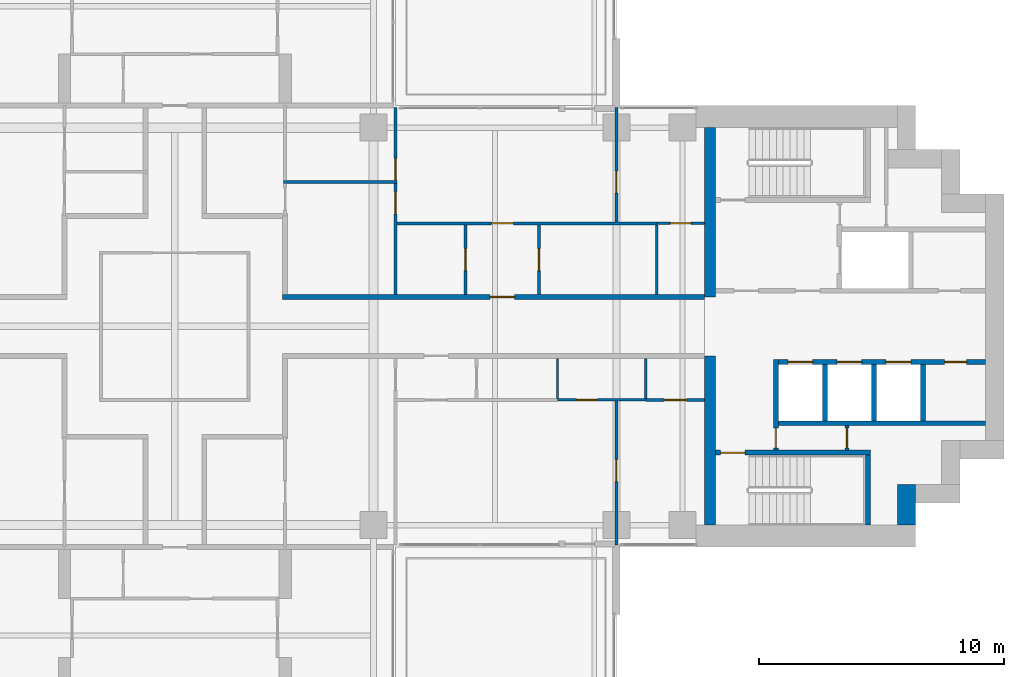
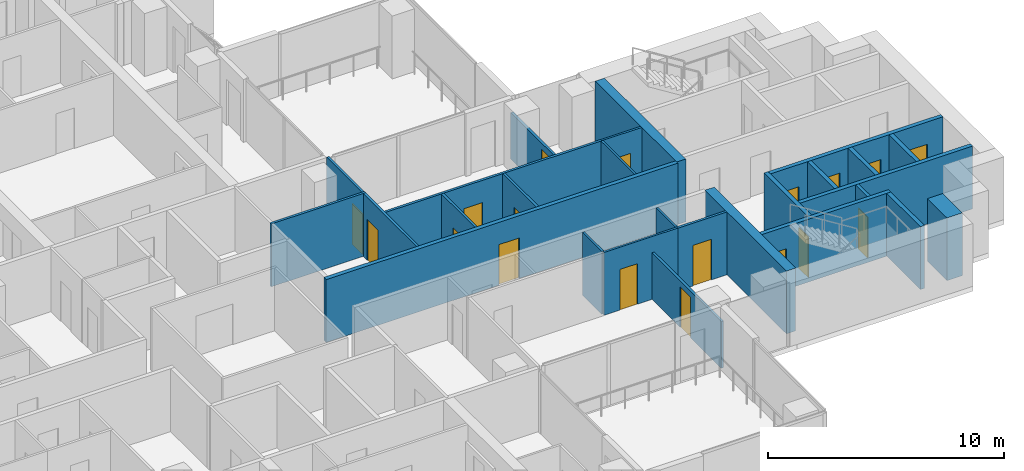
# One storey, part 12 of 18: 26 walls, 18 doors, 18 openings.
"""IFC4 building model written with IfcOpenShell, lengths in metres."""

import ifcopenshell
import ifcopenshell.guid

model = None  # the IFC model being written
_history = None  # IfcOwnerHistory: only IFC2X3 demands one
_inside = {}  # id of a spatial element -> (the spatial element, [elements in it])
_under = {}  # id of a project, library or spatial element -> (it, [spatial elements below it])
_declared = {}  # id of a project -> (the project, [libraries it declares])
_typed = {}  # id of a type object -> (the type object, [elements of that type])
_made_of = {}  # id of a material, layer set ... -> (it, [elements and type objects made of it])


def new_model(schema):
    """Start an empty IFC model of exactly this schema.

    Asked for "IFC4X3", IfcOpenShell would pick the latest addendum, in which some entities
    have other attributes; the version numbers below select the first issue.
    IFC2X3 requires an IfcOwnerHistory on every rooted entity: one is made here for all.
    """
    global model, _history
    if schema == "IFC4X3":
        model = ifcopenshell.file(schema_version=(4, 3, 0, 0))
    else:
        model = ifcopenshell.file(schema=schema)
    _inside.clear()
    _under.clear()
    _declared.clear()
    _typed.clear()
    _made_of.clear()
    _history = None
    if model.schema == "IFC2X3":
        org = make("IfcOrganization", Name="unknown")
        user = make(
            "IfcPersonAndOrganization",
            ThePerson=make("IfcPerson", FamilyName="unknown"),
            TheOrganization=org,
        )
        app = make(
            "IfcApplication",
            ApplicationDeveloper=org,
            Version="unknown",
            ApplicationFullName="unknown",
            ApplicationIdentifier="unknown",
        )
        _history = make(
            "IfcOwnerHistory",
            OwningUser=user,
            OwningApplication=app,
            ChangeAction="ADDED",
            CreationDate=0,
        )
    return model


def make(cls, **values):
    """One entity of the class cls with the attributes given. An attribute that is None is left unset."""
    return model.create_entity(
        cls, **{name: value for name, value in values.items() if value is not None}
    )


def rooted(cls, **values):
    """An entity with a GlobalId (a new one), such as an element, a storey or a relation."""
    return make(cls, GlobalId=ifcopenshell.guid.new(), OwnerHistory=_history, **values)


def si_unit(unit_type, name, prefix=None):
    """IfcSIUnit, for example si_unit("LENGTHUNIT", "METRE", prefix="MILLI")."""
    return make("IfcSIUnit", UnitType=unit_type, Prefix=prefix, Name=name)


def assignment(units):
    """IfcUnitAssignment: the units of a project."""
    return None if units is None else make("IfcUnitAssignment", Units=units)


def point(xyz):
    """IfcCartesianPoint."""
    return None if xyz is None else make("IfcCartesianPoint", Coordinates=xyz)


def direction(xyz):
    """IfcDirection."""
    return None if xyz is None else make("IfcDirection", DirectionRatios=xyz)


def frame(location, z_axis=None, x_axis=None):
    """IfcAxis2Placement3D, a coordinate frame: its origin and axes. An axis left out is left unset."""
    return make(
        "IfcAxis2Placement3D",
        Location=point(location),
        Axis=direction(z_axis),
        RefDirection=direction(x_axis),
    )


def frame_2d(location, x_axis=None):
    """IfcAxis2Placement2D, a coordinate frame in the plane: its origin and x axis."""
    return make(
        "IfcAxis2Placement2D", Location=point(location), RefDirection=direction(x_axis)
    )


def origin():
    """The frame at (0, 0, 0) with its axes left unset."""
    return frame((0.0, 0.0, 0.0))


def place(relative_to, where):
    """IfcLocalPlacement: puts the frame where relative to a parent placement (None: the world)."""
    return make(
        "IfcLocalPlacement", PlacementRelTo=relative_to, RelativePlacement=where
    )


def context(
    kind, dimensions, precision=None, world=None, true_north=None, identifier=None
):
    """IfcGeometricRepresentationContext, for example the 3D "Model" context."""
    return make(
        "IfcGeometricRepresentationContext",
        ContextIdentifier=identifier,
        ContextType=kind,
        CoordinateSpaceDimension=dimensions,
        Precision=precision,
        WorldCoordinateSystem=world,
        TrueNorth=true_north,
    )


def subcontext(parent, identifier, kind, view, scale=None):
    """IfcGeometricRepresentationSubContext, for example "Body" below "Model"."""
    return make(
        "IfcGeometricRepresentationSubContext",
        ContextIdentifier=identifier,
        ContextType=kind,
        ParentContext=parent,
        TargetScale=scale,
        TargetView=view,
    )


def project(units=None, contexts=None):
    """IfcProject with its units and contexts."""
    return rooted(
        "IfcProject",
        Name="project",
        RepresentationContexts=contexts,
        UnitsInContext=assignment(units),
    )


def spatial(cls, under=None, at=None, **own):
    """A site, building, storey or space (cls), placed at a placement, below another one or the project."""
    s = rooted(cls, ObjectPlacement=at, **own)
    if under is not None:
        _under.setdefault(under.id(), (under, []))[1].append(s)
    return s


def profile(cls, at=None, kind="AREA", **sizes):
    """A parametric profile (cls). Its sizes go by their IFC names, for example OverallWidth=200.0."""
    return make(cls, ProfileType=kind, Position=at, **sizes)


def rectangle(**sizes):
    """IfcRectangleProfileDef."""
    return profile("IfcRectangleProfileDef", **sizes)


def extrude(swept, where, along, depth):
    """IfcExtrudedAreaSolid: the profile swept, set in the frame where, extruded along a direction by depth."""
    return make(
        "IfcExtrudedAreaSolid",
        SweptArea=swept,
        Position=where,
        ExtrudedDirection=direction(along),
        Depth=depth,
    )


def shape(context_of_items, identifier, shape_type, items):
    """IfcShapeRepresentation: the items that make up one representation, for example the "Body"."""
    return make(
        "IfcShapeRepresentation",
        ContextOfItems=context_of_items,
        RepresentationIdentifier=identifier,
        RepresentationType=shape_type,
        Items=items,
    )


def material(Name=None, Category=None):
    """IfcMaterial."""
    return make("IfcMaterial", Name=Name, Category=Category)


def layer(
    of_material, thickness, ventilated=None, Name=None, Category=None, Priority=None
):
    """IfcMaterialLayer: one layer of a wall or slab, of a material (None: an air gap)."""
    return make(
        "IfcMaterialLayer",
        Material=of_material,
        LayerThickness=thickness,
        IsVentilated=ventilated,
        Name=Name,
        Category=Category,
        Priority=Priority,
    )


def layer_set(layers, Name=None):
    """IfcMaterialLayerSet."""
    return make("IfcMaterialLayerSet", MaterialLayers=layers, LayerSetName=Name)


def made_of(thing, what):
    """Note that an element or type object is made of a material, layer set ...; save() writes the relation."""
    if what is not None:
        _made_of.setdefault(what.id(), (what, []))[1].append(thing)
    return thing


def type_object(cls, material=None, **own):
    """A type object (cls), such as IfcWallType, which elements share."""
    return made_of(rooted(cls, **own), material)


def element(
    cls,
    number,
    at=None,
    inside=None,
    cuts=None,
    type_object=None,
    material=None,
    context=None,
    identifier="Body",
    shape_type=None,
    held_by="IfcProductDefinitionShape",
    body=None,
    shapes=None,
    **own,
):
    """One element of the class cls, such as IfcWall. Its Tag is "e" and its number.

    at: its placement. inside: the storey or other place that contains it. cuts: it is an
    opening in that element (IfcRelVoidsElement). A single representation is given by context,
    identifier, shape_type and body (its items); several are given by shapes. held_by: the class
    of the entity that holds the representations. save() writes the other relations.
    """
    e = rooted(cls, Tag="e%d" % number, ObjectPlacement=at, **own)
    if body is not None:
        shapes = [shape(context, identifier, shape_type, body)]
    if shapes is not None:
        e.Representation = make(held_by, Representations=shapes)
    if inside is not None:
        _inside.setdefault(inside.id(), (inside, []))[1].append(e)
    if cuts is not None:
        rooted(
            "IfcRelVoidsElement", RelatingBuildingElement=cuts, RelatedOpeningElement=e
        )
    if type_object is not None:
        _typed.setdefault(type_object.id(), (type_object, []))[1].append(e)
    return made_of(e, material)


def fill(opening, filler):
    """IfcRelFillsElement: the door or window that sits in an opening."""
    return rooted(
        "IfcRelFillsElement",
        RelatingOpeningElement=opening,
        RelatedBuildingElement=filler,
    )


def aggregate(whole, parts):
    """IfcRelAggregates: a whole, such as a stair, and the parts it consists of."""
    return rooted("IfcRelAggregates", RelatingObject=whole, RelatedObjects=parts)


def save(model, path):
    """Write the relations noted so far, then the file.

    IfcRelAggregates (storeys below a building ...), IfcRelContainedInSpatialStructure (elements
    in a storey), IfcRelDefinesByType, IfcRelAssociatesMaterial and IfcRelDeclares: one each for
    every whole, place, type object, material and project.
    """
    for whole, parts in _under.values():
        aggregate(whole, parts)
    for where, things in _inside.values():
        rooted(
            "IfcRelContainedInSpatialStructure",
            RelatedElements=things,
            RelatingStructure=where,
        )
    for kind, things in _typed.values():
        rooted("IfcRelDefinesByType", RelatedObjects=things, RelatingType=kind)
    for what, things in _made_of.values():
        rooted("IfcRelAssociatesMaterial", RelatedObjects=things, RelatingMaterial=what)
    for by, libraries in _declared.values():
        rooted("IfcRelDeclares", RelatingContext=by, RelatedDefinitions=libraries)
    model.write(path)


model = new_model("IFC4")

# Units and contexts
model_context = context("Model", 3, precision=1e-05, world=origin(), true_north=direction((0.0, 1.0)))
body_context = subcontext(model_context, "Body", "Model", "MODEL_VIEW")
ifc_project = project(units=[si_unit("LENGTHUNIT", "METRE"), si_unit("AREAUNIT", "SQUARE_METRE"), si_unit("VOLUMEUNIT", "CUBIC_METRE"), si_unit("PLANEANGLEUNIT", "RADIAN"), si_unit("MASSUNIT", "GRAM", prefix="KILO")], contexts=[model_context])

# Site, building, storey
site_placement = place(None, origin())
site = spatial("IfcSite", under=ifc_project, at=site_placement, CompositionType="ELEMENT")
building_placement = place(site_placement, origin())
building = spatial("IfcBuilding", under=site, at=building_placement, Name="Perihelion Cross Residences", CompositionType="ELEMENT")
storey_placement = place(building_placement, frame((0.0, 0.0, 130.39990234375)))
storey = spatial("IfcBuildingStorey", under=building, at=storey_placement, Name="L31", CompositionType="ELEMENT", Elevation=130.39990234375)

# Wall, opening, door
ifc_material_1 = material(Name="Plasterboard partition")
ifc_layer_1 = layer(ifc_material_1, 0.199951171875)
ifc_layer_set_1 = layer_set([ifc_layer_1], Name="Apartment separation wall 200")
wall_type_1 = type_object("IfcWallType", Name="Apartment separation wall 200", PredefinedType="PARTITIONING", material=ifc_layer_set_1)
wall_1_placement = place(storey_placement, frame((4.39990234375, 1.199951171875, 0.0), z_axis=(0.0, 0.0, 1.0), x_axis=(1.0, 0.0, 0.0)))
wall_1 = element("IfcWall", 1, at=wall_1_placement, inside=storey, type_object=wall_type_1, Name="Partition L31 W005", PredefinedType="PARTITIONING", context=body_context, shape_type="SweptSolid", body=[
    extrude(rectangle(XDim=17.2001953125, YDim=0.199951171875, at=frame_2d((8.60009765625, 0.0))), origin(), (0.0, 0.0, 1.0), 3.25),
])
opening_1_placement = place(wall_1_placement, frame((8.449951171875, 0.0, 0.0)))
opening_1 = element("IfcOpeningElement", 2, at=opening_1_placement, cuts=wall_1, Name="Opening L31.A45", PredefinedType="OPENING", context=body_context, shape_type="SweptSolid", body=[
    extrude(rectangle(XDim=1.0, YDim=2.10009765625, at=frame_2d((0.5, 1.050048828125))), frame((0.0, 0.10986328125, 0.0), z_axis=(0.0, -1.0, 0.0), x_axis=(1.0, 0.0, 0.0)), (0.0, 0.0, 1.0), 0.219970703125),
])
ifc_material_2 = material(Name="Timber door leaf", Category="wood")
door_type_1 = type_object("IfcDoorType", Name="Flat entrance door 1000 x 2100", OperationType="SINGLE_SWING_LEFT", PredefinedType="DOOR", material=ifc_material_2)
door_1_placement = place(opening_1_placement, origin())
door_1 = element("IfcDoor", 3, at=door_1_placement, inside=storey, type_object=door_type_1, Name="Door L31.A45", OperationType="SINGLE_SWING_RIGHT", OverallHeight=2.10009765625, OverallWidth=1.0, PredefinedType="DOOR", context=body_context, shape_type="SweptSolid", body=[
    extrude(rectangle(XDim=1.0, YDim=2.10009765625, at=frame_2d((0.5, 1.050048828125))), frame((0.0, 0.02490234375, 0.0), z_axis=(0.0, -1.0, 0.0), x_axis=(1.0, 0.0, 0.0)), (0.0, 0.0, 1.0), 0.050048828125),
])
fill(opening_1, door_1)

# Walls
ifc_material_3 = material(Name="Concrete C60/75", Category="concrete")
ifc_layer_2 = layer(ifc_material_3, 0.449951171875)
ifc_layer_set_2 = layer_set([ifc_layer_2], Name="Core wall, inner 450")
wall_type_2 = type_object("IfcWallType", Name="Core wall, inner 450", PredefinedType="SHEAR", material=ifc_layer_set_2)
for number, where, z_axis, x_axis, name in (
    (4, (21.824951171875, -8.10009765625, 0.0), (0.0, 0.0, 1.0), (0.0, 1.0, 0.0), "East core core wall, inner"),
    (5, (21.824951171875, 1.199951171875, 0.0), (0.0, 0.0, 1.0), (0.0, 1.0, 0.0), "East core core wall, inner"),
):
    element("IfcWall", number, at=place(storey_placement, frame(where, z_axis=z_axis, x_axis=x_axis)), inside=storey, type_object=wall_type_2, Name=name, PredefinedType="SHEAR", context=body_context, shape_type="SweptSolid", body=[
        extrude(rectangle(XDim=6.900146484375, YDim=0.449951171875, at=frame_2d((3.4501953125, 0.0))), origin(), (0.0, 0.0, 1.0), 3.25),
    ])
ifc_material_4 = material(Name="Concrete C60/75", Category="concrete")
ifc_layer_3 = layer(ifc_material_4, 0.75)
ifc_layer_set_3 = layer_set([ifc_layer_3], Name="Core wall, outer 750")
wall_type_3 = type_object("IfcWallType", Name="Core wall, outer 750", PredefinedType="SHEAR", material=ifc_layer_set_3)
wall_2_placement = place(storey_placement, frame((29.824951171875, -8.10009765625, 0.0), z_axis=(0.0, 0.0, 1.0), x_axis=(0.0, 1.0, 0.0)))
element("IfcWall", 6, at=wall_2_placement, inside=storey, type_object=wall_type_3, Name="East core core wall, outer", PredefinedType="SHEAR", context=body_context, shape_type="SweptSolid", body=[
    extrude(rectangle(XDim=1.650146484375, YDim=0.75, at=frame_2d((0.8251953125, 0.0))), origin(), (0.0, 0.0, 1.0), 3.25),
])

# Wall, opening, door
ifc_material_5 = material(Name="Concrete C50/60", Category="concrete")
ifc_layer_4 = layer(ifc_material_5, 0.199951171875)
ifc_layer_set_4 = layer_set([ifc_layer_4], Name="Lobby wall 200")
wall_type_4 = type_object("IfcWallType", Name="Lobby wall 200", PredefinedType="SOLIDWALL", material=ifc_layer_set_4)
wall_3_placement = place(storey_placement, frame((24.5, -5.050048828125, 0.0), z_axis=(0.0, 0.0, 1.0), x_axis=(0.0, 1.0, 0.0)))
wall_3 = element("IfcWall", 7, at=wall_3_placement, inside=storey, type_object=wall_type_4, Name="East core lobby wall", PredefinedType="SOLIDWALL", context=body_context, shape_type="SweptSolid", body=[
    extrude(rectangle(XDim=3.699951171875, YDim=0.199951171875, at=frame_2d((1.85009765625, 0.0))), origin(), (0.0, 0.0, 1.0), 3.25),
])
opening_2_placement = place(wall_3_placement, frame((0.10009765625, 0.0, 0.0)))
opening_2 = element("IfcOpeningElement", 8, at=opening_2_placement, cuts=wall_3, Name="Opening L31.C08", PredefinedType="OPENING", context=body_context, shape_type="SweptSolid", body=[
    extrude(rectangle(XDim=0.800048828125, YDim=2.10009765625, at=frame_2d((0.39990234375, 1.050048828125))), frame((0.0, 0.10986328125, 0.0), z_axis=(0.0, -1.0, 0.0), x_axis=(1.0, 0.0, 0.0)), (0.0, 0.0, 1.0), 0.219970703125),
])
ifc_material_6 = material(Name="Steel, powder coated", Category="steel")
door_type_2 = type_object("IfcDoorType", Name="Riser door 800", OperationType="SINGLE_SWING_LEFT", PredefinedType="DOOR", material=ifc_material_6)
door_2_placement = place(opening_2_placement, origin())
door_2 = element("IfcDoor", 9, at=door_2_placement, inside=storey, type_object=door_type_2, Name="East core riser door", OperationType="SINGLE_SWING_LEFT", OverallHeight=2.10009765625, OverallWidth=0.800048828125, PredefinedType="DOOR", context=body_context, shape_type="SweptSolid", body=[
    extrude(rectangle(XDim=0.800048828125, YDim=2.10009765625, at=frame_2d((0.39990234375, 1.050048828125))), frame((0.0, 0.02490234375, 0.0), z_axis=(0.0, -1.0, 0.0), x_axis=(1.0, 0.0, 0.0)), (0.0, 0.0, 1.0), 0.050048828125),
])
fill(opening_2, door_2)

ifc_material_7 = material(Name="Plasterboard partition")
ifc_layer_5 = layer(ifc_material_7, 0.1201171875)
ifc_layer_set_5 = layer_set([ifc_layer_5], Name="Partition wall 120")
wall_type_5 = type_object("IfcWallType", Name="Partition wall 120", PredefinedType="PARTITIONING", material=ifc_layer_set_5)
wall_4_placement = place(storey_placement, frame((11.85009765625, 4.139892578125, 0.0), z_axis=(0.0, 0.0, 1.0), x_axis=(0.0, -1.0, 0.0)))
wall_4 = element("IfcWall", 10, at=wall_4_placement, inside=storey, type_object=wall_type_5, Name="Partition L31 W023", PredefinedType="PARTITIONING", context=body_context, shape_type="SweptSolid", body=[
    extrude(rectangle(XDim=2.83984375, YDim=0.1201171875, at=frame_2d((1.419921875, 0.0))), origin(), (0.0, 0.0, 1.0), 3.25),
])
opening_3_placement = place(wall_4_placement, frame((0.969970703125, 0.0, 0.0)))
opening_3 = element("IfcOpeningElement", 11, at=opening_3_placement, cuts=wall_4, Name="Opening L31.A06", PredefinedType="OPENING", context=body_context, shape_type="SweptSolid", body=[
    extrude(rectangle(XDim=0.89990234375, YDim=2.10009765625, at=frame_2d((0.449951171875, 1.050048828125))), frame((0.0, 0.070068359375, 0.0), z_axis=(0.0, -1.0, 0.0), x_axis=(1.0, 0.0, 0.0)), (0.0, 0.0, 1.0), 0.14013671875),
])
ifc_material_8 = material(Name="Timber door leaf", Category="wood")
door_type_3 = type_object("IfcDoorType", Name="Interior room door 900 x 2100", OperationType="SINGLE_SWING_LEFT", PredefinedType="DOOR", material=ifc_material_8)
door_3_placement = place(opening_3_placement, origin())
door_3 = element("IfcDoor", 12, at=door_3_placement, inside=storey, type_object=door_type_3, Name="Door L31.A06", OperationType="SINGLE_SWING_LEFT", OverallHeight=2.10009765625, OverallWidth=0.89990234375, PredefinedType="DOOR", context=body_context, shape_type="SweptSolid", body=[
    extrude(rectangle(XDim=0.89990234375, YDim=2.10009765625, at=frame_2d((0.449951171875, 1.050048828125))), frame((0.0, 0.02490234375, 0.0), z_axis=(0.0, -1.0, 0.0), x_axis=(1.0, 0.0, 0.0)), (0.0, 0.0, 1.0), 0.050048828125),
])
fill(opening_3, door_3)

wall_5_placement = place(storey_placement, frame((8.93994140625, 4.199951171875, 0.0), z_axis=(0.0, 0.0, 1.0), x_axis=(1.0, 0.0, 0.0)))
wall_5 = element("IfcWall", 13, at=wall_5_placement, inside=storey, type_object=wall_type_5, Name="Partition L31 W024", PredefinedType="PARTITIONING", context=body_context, shape_type="SweptSolid", body=[
    extrude(rectangle(XDim=10.7099609375, YDim=0.1201171875, at=frame_2d((5.35498046875, 0.0))), origin(), (0.0, 0.0, 1.0), 3.25),
])
opening_4_placement = place(wall_5_placement, frame((3.9599609375, 0.0, 0.0)))
opening_4 = element("IfcOpeningElement", 14, at=opening_4_placement, cuts=wall_5, Name="Opening L31.A07", PredefinedType="OPENING", context=body_context, shape_type="SweptSolid", body=[
    extrude(rectangle(XDim=0.89990234375, YDim=2.10009765625, at=frame_2d((0.449951171875, 1.050048828125))), frame((0.0, 0.070068359375, 0.0), z_axis=(0.0, -1.0, 0.0), x_axis=(1.0, 0.0, 0.0)), (0.0, 0.0, 1.0), 0.14013671875),
])
door_4_placement = place(opening_4_placement, origin())
door_4 = element("IfcDoor", 15, at=door_4_placement, inside=storey, type_object=door_type_3, Name="Door L31.A07", OperationType="SINGLE_SWING_LEFT", OverallHeight=2.10009765625, OverallWidth=0.89990234375, PredefinedType="DOOR", context=body_context, shape_type="SweptSolid", body=[
    extrude(rectangle(XDim=0.89990234375, YDim=2.10009765625, at=frame_2d((0.449951171875, 1.050048828125))), frame((0.0, 0.02490234375, 0.0), z_axis=(0.0, -1.0, 0.0), x_axis=(1.0, 0.0, 0.0)), (0.0, 0.0, 1.0), 0.050048828125),
])
fill(opening_4, door_4)

# Wall, openings, doors
wall_6_placement = place(storey_placement, frame((9.0, 1.300048828125, 0.0), z_axis=(0.0, 0.0, 1.0), x_axis=(0.0, 1.0, 0.0)))
wall_6 = element("IfcWall", 16, at=wall_6_placement, inside=storey, type_object=wall_type_5, Name="Partition L31 W025", PredefinedType="PARTITIONING", context=body_context, shape_type="SweptSolid", body=[
    extrude(rectangle(XDim=7.619873046875, YDim=0.1201171875, at=frame_2d((3.81005859375, 0.0))), origin(), (0.0, 0.0, 1.0), 3.25),
])
opening_5_placement = place(wall_6_placement, frame((3.2900390625, 0.0, 0.0)))
opening_5 = element("IfcOpeningElement", 17, at=opening_5_placement, cuts=wall_6, Name="Opening L31.A04", PredefinedType="OPENING", context=body_context, shape_type="SweptSolid", body=[
    extrude(rectangle(XDim=0.89990234375, YDim=2.10009765625, at=frame_2d((0.449951171875, 1.050048828125))), frame((0.0, 0.070068359375, 0.0), z_axis=(0.0, -1.0, 0.0), x_axis=(1.0, 0.0, 0.0)), (0.0, 0.0, 1.0), 0.14013671875),
])
opening_6_placement = place(wall_6_placement, frame((4.64990234375, 0.0, 0.0)))
opening_6 = element("IfcOpeningElement", 18, at=opening_6_placement, cuts=wall_6, Name="Opening L31.A08", PredefinedType="OPENING", context=body_context, shape_type="SweptSolid", body=[
    extrude(rectangle(XDim=0.89990234375, YDim=2.10009765625, at=frame_2d((0.449951171875, 1.050048828125))), frame((0.0, 0.070068359375, 0.0), z_axis=(0.0, -1.0, 0.0), x_axis=(1.0, 0.0, 0.0)), (0.0, 0.0, 1.0), 0.14013671875),
])
door_5_placement = place(opening_5_placement, origin())
door_5 = element("IfcDoor", 19, at=door_5_placement, inside=storey, type_object=door_type_3, Name="Door L31.A04", OperationType="SINGLE_SWING_RIGHT", OverallHeight=2.10009765625, OverallWidth=0.89990234375, PredefinedType="DOOR", context=body_context, shape_type="SweptSolid", body=[
    extrude(rectangle(XDim=0.89990234375, YDim=2.10009765625, at=frame_2d((0.449951171875, 1.050048828125))), frame((0.0, 0.02490234375, 0.0), z_axis=(0.0, -1.0, 0.0), x_axis=(1.0, 0.0, 0.0)), (0.0, 0.0, 1.0), 0.050048828125),
])
fill(opening_5, door_5)
door_6_placement = place(opening_6_placement, origin())
door_6 = element("IfcDoor", 20, at=door_6_placement, inside=storey, type_object=door_type_3, Name="Door L31.A08", OperationType="SINGLE_SWING_RIGHT", OverallHeight=2.10009765625, OverallWidth=0.89990234375, PredefinedType="DOOR", context=body_context, shape_type="SweptSolid", body=[
    extrude(rectangle(XDim=0.89990234375, YDim=2.10009765625, at=frame_2d((0.449951171875, 1.050048828125))), frame((0.0, 0.02490234375, 0.0), z_axis=(0.0, -1.0, 0.0), x_axis=(1.0, 0.0, 0.0)), (0.0, 0.0, 1.0), 0.050048828125),
])
fill(opening_6, door_6)

# Wall, opening, door
wall_7_placement = place(storey_placement, frame((14.85009765625, 4.139892578125, 0.0), z_axis=(0.0, 0.0, 1.0), x_axis=(0.0, -1.0, 0.0)))
wall_7 = element("IfcWall", 21, at=wall_7_placement, inside=storey, type_object=wall_type_5, Name="Partition L31 W026", PredefinedType="PARTITIONING", context=body_context, shape_type="SweptSolid", body=[
    extrude(rectangle(XDim=2.83984375, YDim=0.1201171875, at=frame_2d((1.419921875, 0.0))), origin(), (0.0, 0.0, 1.0), 3.25),
])
opening_7_placement = place(wall_7_placement, frame((0.969970703125, 0.0, 0.0)))
opening_7 = element("IfcOpeningElement", 22, at=opening_7_placement, cuts=wall_7, Name="Opening L31.A05", PredefinedType="OPENING", context=body_context, shape_type="SweptSolid", body=[
    extrude(rectangle(XDim=0.89990234375, YDim=2.10009765625, at=frame_2d((0.449951171875, 1.050048828125))), frame((0.0, 0.070068359375, 0.0), z_axis=(0.0, -1.0, 0.0), x_axis=(1.0, 0.0, 0.0)), (0.0, 0.0, 1.0), 0.14013671875),
])
door_7_placement = place(opening_7_placement, origin())
door_7 = element("IfcDoor", 23, at=door_7_placement, inside=storey, type_object=door_type_3, Name="Door L31.A05", OperationType="SINGLE_SWING_RIGHT", OverallHeight=2.10009765625, OverallWidth=0.89990234375, PredefinedType="DOOR", context=body_context, shape_type="SweptSolid", body=[
    extrude(rectangle(XDim=0.89990234375, YDim=2.10009765625, at=frame_2d((0.449951171875, 1.050048828125))), frame((0.0, 0.02490234375, 0.0), z_axis=(0.0, -1.0, 0.0), x_axis=(1.0, 0.0, 0.0)), (0.0, 0.0, 1.0), 0.050048828125),
])
fill(opening_7, door_7)

wall_8_placement = place(storey_placement, frame((18.0, 8.919921875, 0.0), z_axis=(0.0, 0.0, 1.0), x_axis=(0.0, -1.0, 0.0)))
wall_8 = element("IfcWall", 24, at=wall_8_placement, inside=storey, type_object=wall_type_5, Name="Partition L31 W029", PredefinedType="PARTITIONING", context=body_context, shape_type="SweptSolid", body=[
    extrude(rectangle(XDim=4.659912109375, YDim=0.1201171875, at=frame_2d((2.330078125, 0.0))), origin(), (0.0, 0.0, 1.0), 2.4140625),
])
opening_8_placement = place(wall_8_placement, frame((2.590087890625, 0.0, 0.0)))
opening_8 = element("IfcOpeningElement", 25, at=opening_8_placement, cuts=wall_8, Name="Opening L31.A02", PredefinedType="OPENING", context=body_context, shape_type="SweptSolid", body=[
    extrude(rectangle(XDim=0.89990234375, YDim=2.10009765625, at=frame_2d((0.449951171875, 1.050048828125))), frame((0.0, 0.070068359375, 0.0), z_axis=(0.0, -1.0, 0.0), x_axis=(1.0, 0.0, 0.0)), (0.0, 0.0, 1.0), 0.14013671875),
])
door_8_placement = place(opening_8_placement, origin())
door_8 = element("IfcDoor", 26, at=door_8_placement, inside=storey, type_object=door_type_3, Name="Door L31.A02", OperationType="SINGLE_SWING_LEFT", OverallHeight=2.10009765625, OverallWidth=0.89990234375, PredefinedType="DOOR", context=body_context, shape_type="SweptSolid", body=[
    extrude(rectangle(XDim=0.89990234375, YDim=2.10009765625, at=frame_2d((0.449951171875, 1.050048828125))), frame((0.0, 0.02490234375, 0.0), z_axis=(0.0, -1.0, 0.0), x_axis=(1.0, 0.0, 0.0)), (0.0, 0.0, 1.0), 0.050048828125),
])
fill(opening_8, door_8)

# Wall
wall_9_placement = place(storey_placement, frame((4.43994140625, 5.8798828125, 0.0), z_axis=(0.0, 0.0, 1.0), x_axis=(1.0, 0.0, 0.0)))
element("IfcWall", 27, at=wall_9_placement, inside=storey, type_object=wall_type_5, Name="Partition L31 W030", PredefinedType="PARTITIONING", context=body_context, shape_type="SweptSolid", body=[
    extrude(rectangle(XDim=4.6201171875, YDim=0.1201171875, at=frame_2d((2.31005859375, 0.0))), origin(), (0.0, 0.0, 1.0), 3.25),
])

# Wall, opening, door
wall_10_placement = place(storey_placement, frame((21.60009765625, -3.0, 0.0), z_axis=(0.0, 0.0, 1.0), x_axis=(-1.0, 0.0, 0.0)))
wall_10 = element("IfcWall", 28, at=wall_10_placement, inside=storey, type_object=wall_type_5, Name="Partition L31 W038", PredefinedType="PARTITIONING", context=body_context, shape_type="SweptSolid", body=[
    extrude(rectangle(XDim=2.400146484375, YDim=0.1201171875, at=frame_2d((1.2001953125, 0.0))), origin(), (0.0, 0.0, 1.0), 3.25),
])
opening_9_placement = place(wall_10_placement, frame((0.75, 0.0, 0.0)))
opening_9 = element("IfcOpeningElement", 29, at=opening_9_placement, cuts=wall_10, Name="Opening L31.A14", PredefinedType="OPENING", context=body_context, shape_type="SweptSolid", body=[
    extrude(rectangle(XDim=0.89990234375, YDim=2.10009765625, at=frame_2d((0.449951171875, 1.050048828125))), frame((0.0, 0.070068359375, 0.0), z_axis=(0.0, -1.0, 0.0), x_axis=(1.0, 0.0, 0.0)), (0.0, 0.0, 1.0), 0.14013671875),
])
door_9_placement = place(opening_9_placement, origin())
door_9 = element("IfcDoor", 30, at=door_9_placement, inside=storey, type_object=door_type_3, Name="Door L31.A14", OperationType="SINGLE_SWING_LEFT", OverallHeight=2.10009765625, OverallWidth=0.89990234375, PredefinedType="DOOR", context=body_context, shape_type="SweptSolid", body=[
    extrude(rectangle(XDim=0.89990234375, YDim=2.10009765625, at=frame_2d((0.449951171875, 1.050048828125))), frame((0.0, 0.02490234375, 0.0), z_axis=(0.0, -1.0, 0.0), x_axis=(1.0, 0.0, 0.0)), (0.0, 0.0, 1.0), 0.050048828125),
])
fill(opening_9, door_9)

wall_11_placement = place(storey_placement, frame((18.0, -3.050048828125, 0.0), z_axis=(0.0, 0.0, 1.0), x_axis=(0.0, -1.0, 0.0)))
wall_11 = element("IfcWall", 31, at=wall_11_placement, inside=storey, type_object=wall_type_5, Name="Partition L31 W039", PredefinedType="PARTITIONING", context=body_context, shape_type="SweptSolid", body=[
    extrude(rectangle(XDim=5.869873046875, YDim=0.1201171875, at=frame_2d((2.93505859375, 0.0))), origin(), (0.0, 0.0, 1.0), 2.4140625),
])
opening_10_placement = place(wall_11_placement, frame((2.375, 0.0, 0.0)))
opening_10 = element("IfcOpeningElement", 32, at=opening_10_placement, cuts=wall_11, Name="Opening L31.A10", PredefinedType="OPENING", context=body_context, shape_type="SweptSolid", body=[
    extrude(rectangle(XDim=0.89990234375, YDim=2.10009765625, at=frame_2d((0.449951171875, 1.050048828125))), frame((0.0, 0.070068359375, 0.0), z_axis=(0.0, -1.0, 0.0), x_axis=(1.0, 0.0, 0.0)), (0.0, 0.0, 1.0), 0.14013671875),
])
door_10_placement = place(opening_10_placement, origin())
door_10 = element("IfcDoor", 33, at=door_10_placement, inside=storey, type_object=door_type_3, Name="Door L31.A10", OperationType="SINGLE_SWING_LEFT", OverallHeight=2.10009765625, OverallWidth=0.89990234375, PredefinedType="DOOR", context=body_context, shape_type="SweptSolid", body=[
    extrude(rectangle(XDim=0.89990234375, YDim=2.10009765625, at=frame_2d((0.449951171875, 1.050048828125))), frame((0.0, 0.02490234375, 0.0), z_axis=(0.0, -1.0, 0.0), x_axis=(1.0, 0.0, 0.0)), (0.0, 0.0, 1.0), 0.050048828125),
])
fill(opening_10, door_10)

ifc_material_9 = material(Name="Fire-rated board on steel stud", Category="steel")
ifc_layer_6 = layer(ifc_material_9, 0.14990234375)
ifc_layer_set_6 = layer_set([ifc_layer_6], Name="Riser wall 150")
wall_type_6 = type_object("IfcWallType", Name="Riser wall 150", PredefinedType="PARTITIONING", material=ifc_layer_set_6)
wall_12_placement = place(storey_placement, frame((27.39990234375, -5.050048828125, 0.0), z_axis=(0.0, 0.0, 1.0), x_axis=(0.0, 1.0, 0.0)))
wall_12 = element("IfcWall", 34, at=wall_12_placement, inside=storey, type_object=wall_type_6, Name="East core riser wall", PredefinedType="PARTITIONING", context=body_context, shape_type="SweptSolid", body=[
    extrude(rectangle(XDim=1.0, YDim=0.14990234375, at=frame_2d((0.5, 0.0))), origin(), (0.0, 0.0, 1.0), 3.25),
])
opening_11_placement = place(wall_12_placement, frame((0.10009765625, 0.0, 0.0)))
opening_11 = element("IfcOpeningElement", 35, at=opening_11_placement, cuts=wall_12, Name="Opening L31.C11", PredefinedType="OPENING", context=body_context, shape_type="SweptSolid", body=[
    extrude(rectangle(XDim=0.800048828125, YDim=2.10009765625, at=frame_2d((0.39990234375, 1.050048828125))), frame((0.0, 0.0849609375, 0.0), z_axis=(0.0, -1.0, 0.0), x_axis=(1.0, 0.0, 0.0)), (0.0, 0.0, 1.0), 0.169921875),
])
door_11_placement = place(opening_11_placement, origin())
door_11 = element("IfcDoor", 36, at=door_11_placement, inside=storey, type_object=door_type_2, Name="East core riser door", OperationType="SINGLE_SWING_LEFT", OverallHeight=2.10009765625, OverallWidth=0.800048828125, PredefinedType="DOOR", context=body_context, shape_type="SweptSolid", body=[
    extrude(rectangle(XDim=0.800048828125, YDim=2.10009765625, at=frame_2d((0.39990234375, 1.050048828125))), frame((0.0, 0.02490234375, 0.0), z_axis=(0.0, -1.0, 0.0), x_axis=(1.0, 0.0, 0.0)), (0.0, 0.0, 1.0), 0.050048828125),
])
fill(opening_11, door_11)

# Wall, openings, doors
ifc_material_10 = material(Name="Concrete C50/60", Category="concrete")
ifc_layer_7 = layer(ifc_material_10, 0.199951171875)
ifc_layer_set_7 = layer_set([ifc_layer_7], Name="Shaft wall 200")
wall_type_7 = type_object("IfcWallType", Name="Shaft wall 200", PredefinedType="SOLIDWALL", material=ifc_layer_set_7)
wall_13_placement = place(storey_placement, frame((24.60009765625, -1.449951171875, 0.0), z_axis=(0.0, 0.0, 1.0), x_axis=(1.0, 0.0, 0.0)))
wall_13 = element("IfcWall", 37, at=wall_13_placement, inside=storey, type_object=wall_type_7, Name="East core shaft wall", PredefinedType="SOLIDWALL", context=body_context, shape_type="SweptSolid", body=[
    extrude(rectangle(XDim=8.449951171875, YDim=0.199951171875, at=frame_2d((4.22509765625, 0.0))), origin(), (0.0, 0.0, 1.0), 3.25),
])
opening_12_placement = place(wall_13_placement, frame((0.39990234375, 0.0, 0.0)))
opening_12 = element("IfcOpeningElement", 38, at=opening_12_placement, cuts=wall_13, Name="Opening L31.C01", PredefinedType="OPENING", context=body_context, shape_type="SweptSolid", body=[
    extrude(rectangle(XDim=1.0, YDim=2.10009765625, at=frame_2d((0.5, 1.050048828125))), frame((0.0, 0.10986328125, 0.0), z_axis=(0.0, -1.0, 0.0), x_axis=(1.0, 0.0, 0.0)), (0.0, 0.0, 1.0), 0.219970703125),
])
opening_13_placement = place(wall_13_placement, frame((2.39990234375, 0.0, 0.0)))
opening_13 = element("IfcOpeningElement", 39, at=opening_13_placement, cuts=wall_13, Name="Opening L31.C03", PredefinedType="OPENING", context=body_context, shape_type="SweptSolid", body=[
    extrude(rectangle(XDim=1.0, YDim=2.10009765625, at=frame_2d((0.5, 1.050048828125))), frame((0.0, 0.10986328125, 0.0), z_axis=(0.0, -1.0, 0.0), x_axis=(1.0, 0.0, 0.0)), (0.0, 0.0, 1.0), 0.219970703125),
])
opening_14_placement = place(wall_13_placement, frame((4.39990234375, 0.0, 0.0)))
opening_14 = element("IfcOpeningElement", 40, at=opening_14_placement, cuts=wall_13, Name="Opening L31.C04", PredefinedType="OPENING", context=body_context, shape_type="SweptSolid", body=[
    extrude(rectangle(XDim=1.0, YDim=2.10009765625, at=frame_2d((0.5, 1.050048828125))), frame((0.0, 0.10986328125, 0.0), z_axis=(0.0, -1.0, 0.0), x_axis=(1.0, 0.0, 0.0)), (0.0, 0.0, 1.0), 0.219970703125),
])
opening_15_placement = place(wall_13_placement, frame((6.77490234375, 0.0, 0.0)))
opening_15 = element("IfcOpeningElement", 41, at=opening_15_placement, cuts=wall_13, Name="Opening L31.C14", PredefinedType="OPENING", context=body_context, shape_type="SweptSolid", body=[
    extrude(rectangle(XDim=0.89990234375, YDim=2.10009765625, at=frame_2d((0.449951171875, 1.050048828125))), frame((0.0, 0.10986328125, 0.0), z_axis=(0.0, -1.0, 0.0), x_axis=(1.0, 0.0, 0.0)), (0.0, 0.0, 1.0), 0.219970703125),
])
ifc_material_11 = material(Name="Stainless steel", Category="steel")
door_type_4 = type_object("IfcDoorType", Name="Landing door 1000", OperationType="DOUBLE_DOOR_SLIDING", PredefinedType="DOOR", material=ifc_material_11)
door_12_placement = place(opening_12_placement, origin())
door_12 = element("IfcDoor", 42, at=door_12_placement, inside=storey, type_object=door_type_4, Name="Landing door, East core high-rise lift 1", OperationType="DOUBLE_DOOR_SLIDING", OverallHeight=2.10009765625, OverallWidth=1.0, PredefinedType="DOOR", context=body_context, shape_type="SweptSolid", body=[
    extrude(rectangle(XDim=1.0, YDim=2.10009765625, at=frame_2d((0.5, 1.050048828125))), frame((0.0, 0.02490234375, 0.0), z_axis=(0.0, -1.0, 0.0), x_axis=(1.0, 0.0, 0.0)), (0.0, 0.0, 1.0), 0.050048828125),
])
fill(opening_12, door_12)
door_13_placement = place(opening_13_placement, origin())
door_13 = element("IfcDoor", 43, at=door_13_placement, inside=storey, type_object=door_type_4, Name="Landing door, East core high-rise lift 2", OperationType="DOUBLE_DOOR_SLIDING", OverallHeight=2.10009765625, OverallWidth=1.0, PredefinedType="DOOR", context=body_context, shape_type="SweptSolid", body=[
    extrude(rectangle(XDim=1.0, YDim=2.10009765625, at=frame_2d((0.5, 1.050048828125))), frame((0.0, 0.02490234375, 0.0), z_axis=(0.0, -1.0, 0.0), x_axis=(1.0, 0.0, 0.0)), (0.0, 0.0, 1.0), 0.050048828125),
])
fill(opening_13, door_13)
door_14_placement = place(opening_14_placement, origin())
door_14 = element("IfcDoor", 44, at=door_14_placement, inside=storey, type_object=door_type_4, Name="Landing door, East core high-rise lift 3", OperationType="DOUBLE_DOOR_SLIDING", OverallHeight=2.10009765625, OverallWidth=1.0, PredefinedType="DOOR", context=body_context, shape_type="SweptSolid", body=[
    extrude(rectangle(XDim=1.0, YDim=2.10009765625, at=frame_2d((0.5, 1.050048828125))), frame((0.0, 0.02490234375, 0.0), z_axis=(0.0, -1.0, 0.0), x_axis=(1.0, 0.0, 0.0)), (0.0, 0.0, 1.0), 0.050048828125),
])
fill(opening_14, door_14)
ifc_material_12 = material(Name="Steel, powder coated", Category="steel")
door_type_5 = type_object("IfcDoorType", Name="Service room door 900", OperationType="SINGLE_SWING_LEFT", PredefinedType="DOOR", material=ifc_material_12)
door_15_placement = place(opening_15_placement, origin())
door_15 = element("IfcDoor", 45, at=door_15_placement, inside=storey, type_object=door_type_5, Name="East core service room door", OperationType="SINGLE_SWING_LEFT", OverallHeight=2.10009765625, OverallWidth=0.89990234375, PredefinedType="DOOR", context=body_context, shape_type="SweptSolid", body=[
    extrude(rectangle(XDim=0.89990234375, YDim=2.10009765625, at=frame_2d((0.449951171875, 1.050048828125))), frame((0.0, 0.02490234375, 0.0), z_axis=(0.0, -1.0, 0.0), x_axis=(1.0, 0.0, 0.0)), (0.0, 0.0, 1.0), 0.050048828125),
])
fill(opening_15, door_15)

# Walls
wall_14_placement = place(storey_placement, frame((24.60009765625, -3.949951171875, 0.0), z_axis=(0.0, 0.0, 1.0), x_axis=(1.0, 0.0, 0.0)))
element("IfcWall", 46, at=wall_14_placement, inside=storey, type_object=wall_type_7, Name="East core shaft wall", PredefinedType="SOLIDWALL", context=body_context, shape_type="SweptSolid", body=[
    extrude(rectangle(XDim=8.449951171875, YDim=0.199951171875, at=frame_2d((4.22509765625, 0.0))), origin(), (0.0, 0.0, 1.0), 3.25),
])
for number, where, z_axis, x_axis, name in (
    (47, (26.5, -3.85009765625, 0.0), (0.0, 0.0, 1.0), (0.0, 1.0, 0.0), "East core shaft wall"),
    (48, (28.5, -3.85009765625, 0.0), (0.0, 0.0, 1.0), (0.0, 1.0, 0.0), "East core shaft wall"),
    (49, (30.5, -3.85009765625, 0.0), (0.0, 0.0, 1.0), (0.0, 1.0, 0.0), "East core shaft wall"),
):
    element("IfcWall", number, at=place(storey_placement, frame(where, z_axis=z_axis, x_axis=x_axis)), inside=storey, type_object=wall_type_7, Name=name, PredefinedType="SOLIDWALL", context=body_context, shape_type="SweptSolid", body=[
        extrude(rectangle(XDim=2.300048828125, YDim=0.199951171875, at=frame_2d((1.14990234375, 0.0))), origin(), (0.0, 0.0, 1.0), 3.25),
    ])

# Wall, opening, door
ifc_material_13 = material(Name="Concrete C50/60", Category="concrete")
ifc_layer_8 = layer(ifc_material_13, 0.199951171875)
ifc_layer_set_8 = layer_set([ifc_layer_8], Name="Stair wall 200")
wall_type_8 = type_object("IfcWallType", Name="Stair wall 200", PredefinedType="SOLIDWALL", material=ifc_layer_set_8)
wall_15_placement = place(storey_placement, frame((22.050048828125, -5.14990234375, 0.0), z_axis=(0.0, 0.0, 1.0), x_axis=(1.0, 0.0, 0.0)))
wall_15 = element("IfcWall", 50, at=wall_15_placement, inside=storey, type_object=wall_type_8, Name="East core stair wall", PredefinedType="SOLIDWALL", context=body_context, shape_type="SweptSolid", body=[
    extrude(rectangle(XDim=6.300048828125, YDim=0.199951171875, at=frame_2d((3.14990234375, 0.0))), origin(), (0.0, 0.0, 1.0), 3.25),
])
opening_16_placement = place(wall_15_placement, frame((0.199951171875, 0.0, 0.0)))
opening_16 = element("IfcOpeningElement", 51, at=opening_16_placement, cuts=wall_15, Name="Opening L31.C05", PredefinedType="OPENING", context=body_context, shape_type="SweptSolid", body=[
    extrude(rectangle(XDim=1.0, YDim=2.10009765625, at=frame_2d((0.5, 1.050048828125))), frame((0.0, 0.10986328125, 0.0), z_axis=(0.0, -1.0, 0.0), x_axis=(1.0, 0.0, 0.0)), (0.0, 0.0, 1.0), 0.219970703125),
])
ifc_material_14 = material(Name="Steel, powder coated", Category="steel")
door_type_6 = type_object("IfcDoorType", Name="Stair door 1000", OperationType="SINGLE_SWING_LEFT", PredefinedType="DOOR", material=ifc_material_14)
door_16_placement = place(opening_16_placement, origin())
door_16 = element("IfcDoor", 52, at=door_16_placement, inside=storey, type_object=door_type_6, Name="East core stair door", OperationType="SINGLE_SWING_LEFT", OverallHeight=2.10009765625, OverallWidth=1.0, PredefinedType="DOOR", context=body_context, shape_type="SweptSolid", body=[
    extrude(rectangle(XDim=1.0, YDim=2.10009765625, at=frame_2d((0.5, 1.050048828125))), frame((0.0, 0.02490234375, 0.0), z_axis=(0.0, -1.0, 0.0), x_axis=(1.0, 0.0, 0.0)), (0.0, 0.0, 1.0), 0.050048828125),
])
fill(opening_16, door_16)

# Walls
wall_16_placement = place(storey_placement, frame((28.25, -8.10009765625, 0.0), z_axis=(0.0, 0.0, 1.0), x_axis=(0.0, 1.0, 0.0)))
element("IfcWall", 53, at=wall_16_placement, inside=storey, type_object=wall_type_8, Name="East core stair wall", PredefinedType="SOLIDWALL", context=body_context, shape_type="SweptSolid", body=[
    extrude(rectangle(XDim=2.85009765625, YDim=0.199951171875, at=frame_2d((1.425048828125, 0.0))), origin(), (0.0, 0.0, 1.0), 3.25),
])
ifc_material_15 = material(Name="Plasterboard partition")
ifc_layer_9 = layer(ifc_material_15, 0.10009765625)
ifc_layer_set_9 = layer_set([ifc_layer_9], Name="Wet room wall 100")
wall_type_9 = type_object("IfcWallType", Name="Wet room wall 100", PredefinedType="PARTITIONING", material=ifc_layer_set_9)
wall_17_placement = place(storey_placement, frame((19.64990234375, 4.139892578125, 0.0), z_axis=(0.0, 0.0, 1.0), x_axis=(0.0, -1.0, 0.0)))
element("IfcWall", 54, at=wall_17_placement, inside=storey, type_object=wall_type_9, Name="Partition L31 W027", PredefinedType="PARTITIONING", context=body_context, shape_type="SweptSolid", body=[
    extrude(rectangle(XDim=2.83984375, YDim=0.10009765625, at=frame_2d((1.419921875, 0.0))), origin(), (0.0, 0.0, 1.0), 3.25),
])

# Wall, opening, door
wall_18_placement = place(storey_placement, frame((19.64990234375, 4.199951171875, 0.0), z_axis=(0.0, 0.0, 1.0), x_axis=(1.0, 0.0, 0.0)))
wall_18 = element("IfcWall", 55, at=wall_18_placement, inside=storey, type_object=wall_type_9, Name="Partition L31 W028", PredefinedType="PARTITIONING", context=body_context, shape_type="SweptSolid", body=[
    extrude(rectangle(XDim=1.9501953125, YDim=0.10009765625, at=frame_2d((0.97509765625, 0.0))), origin(), (0.0, 0.0, 1.0), 3.25),
])
opening_17_placement = place(wall_18_placement, frame((0.550048828125, 0.0, 0.0)))
opening_17 = element("IfcOpeningElement", 56, at=opening_17_placement, cuts=wall_18, Name="Opening L31.A09", PredefinedType="OPENING", context=body_context, shape_type="SweptSolid", body=[
    extrude(rectangle(XDim=0.85009765625, YDim=2.10009765625, at=frame_2d((0.425048828125, 1.050048828125))), frame((0.0, 0.06005859375, 0.0), z_axis=(0.0, -1.0, 0.0), x_axis=(1.0, 0.0, 0.0)), (0.0, 0.0, 1.0), 0.1201171875),
])
ifc_material_16 = material(Name="Timber door leaf", Category="wood")
door_type_7 = type_object("IfcDoorType", Name="Interior bathroom door 850 x 2100", OperationType="SINGLE_SWING_LEFT", PredefinedType="DOOR", material=ifc_material_16)
door_17_placement = place(opening_17_placement, origin())
door_17 = element("IfcDoor", 57, at=door_17_placement, inside=storey, type_object=door_type_7, Name="Door L31.A09", OperationType="SINGLE_SWING_RIGHT", OverallHeight=2.10009765625, OverallWidth=0.85009765625, PredefinedType="DOOR", context=body_context, shape_type="SweptSolid", body=[
    extrude(rectangle(XDim=0.85009765625, YDim=2.10009765625, at=frame_2d((0.425048828125, 1.050048828125))), frame((0.0, 0.02490234375, 0.0), z_axis=(0.0, -1.0, 0.0), x_axis=(1.0, 0.0, 0.0)), (0.0, 0.0, 1.0), 0.050048828125),
])
fill(opening_17, door_17)

# Walls
for number, where, z_axis, x_axis, name in (
    (58, (15.60009765625, -1.300048828125, 0.0), (0.0, 0.0, 1.0), (0.0, -1.0, 0.0), "Partition L31 W035"),
    (59, (19.199951171875, -1.300048828125, 0.0), (0.0, 0.0, 1.0), (0.0, -1.0, 0.0), "Partition L31 W036"),
):
    element("IfcWall", number, at=place(storey_placement, frame(where, z_axis=z_axis, x_axis=x_axis)), inside=storey, type_object=wall_type_9, Name=name, PredefinedType="PARTITIONING", context=body_context, shape_type="SweptSolid", body=[
        extrude(rectangle(XDim=1.639892578125, YDim=0.10009765625, at=frame_2d((0.81982421875, 0.0))), origin(), (0.0, 0.0, 1.0), 3.25),
    ])

# Wall, opening, door
wall_19_placement = place(storey_placement, frame((19.199951171875, -3.0, 0.0), z_axis=(0.0, 0.0, 1.0), x_axis=(-1.0, 0.0, 0.0)))
wall_19 = element("IfcWall", 60, at=wall_19_placement, inside=storey, type_object=wall_type_9, Name="Partition L31 W037", PredefinedType="PARTITIONING", context=body_context, shape_type="SweptSolid", body=[
    extrude(rectangle(XDim=3.599853515625, YDim=0.10009765625, at=frame_2d((1.7998046875, 0.0))), origin(), (0.0, 0.0, 1.0), 3.25),
])
opening_18_placement = place(wall_19_placement, frame((1.97509765625, 0.0, 0.0)))
opening_18 = element("IfcOpeningElement", 61, at=opening_18_placement, cuts=wall_19, Name="Opening L31.A15", PredefinedType="OPENING", context=body_context, shape_type="SweptSolid", body=[
    extrude(rectangle(XDim=0.85009765625, YDim=2.10009765625, at=frame_2d((0.425048828125, 1.050048828125))), frame((0.0, 0.06005859375, 0.0), z_axis=(0.0, -1.0, 0.0), x_axis=(1.0, 0.0, 0.0)), (0.0, 0.0, 1.0), 0.1201171875),
])
door_18_placement = place(opening_18_placement, origin())
door_18 = element("IfcDoor", 62, at=door_18_placement, inside=storey, type_object=door_type_7, Name="Door L31.A15", OperationType="SINGLE_SWING_LEFT", OverallHeight=2.10009765625, OverallWidth=0.85009765625, PredefinedType="DOOR", context=body_context, shape_type="SweptSolid", body=[
    extrude(rectangle(XDim=0.85009765625, YDim=2.10009765625, at=frame_2d((0.425048828125, 1.050048828125))), frame((0.0, 0.02490234375, 0.0), z_axis=(0.0, -1.0, 0.0), x_axis=(1.0, 0.0, 0.0)), (0.0, 0.0, 1.0), 0.050048828125),
])
fill(opening_18, door_18)

save(model, "model.ifc")
